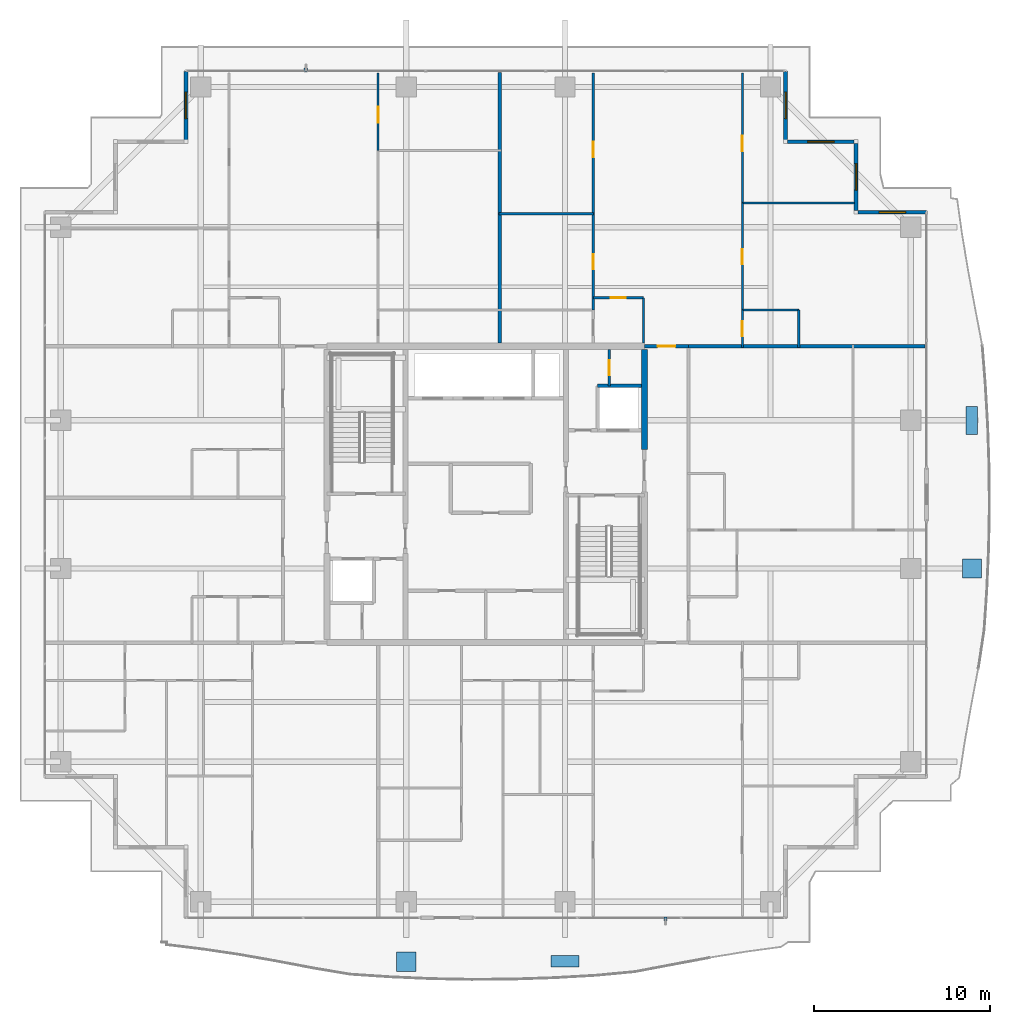
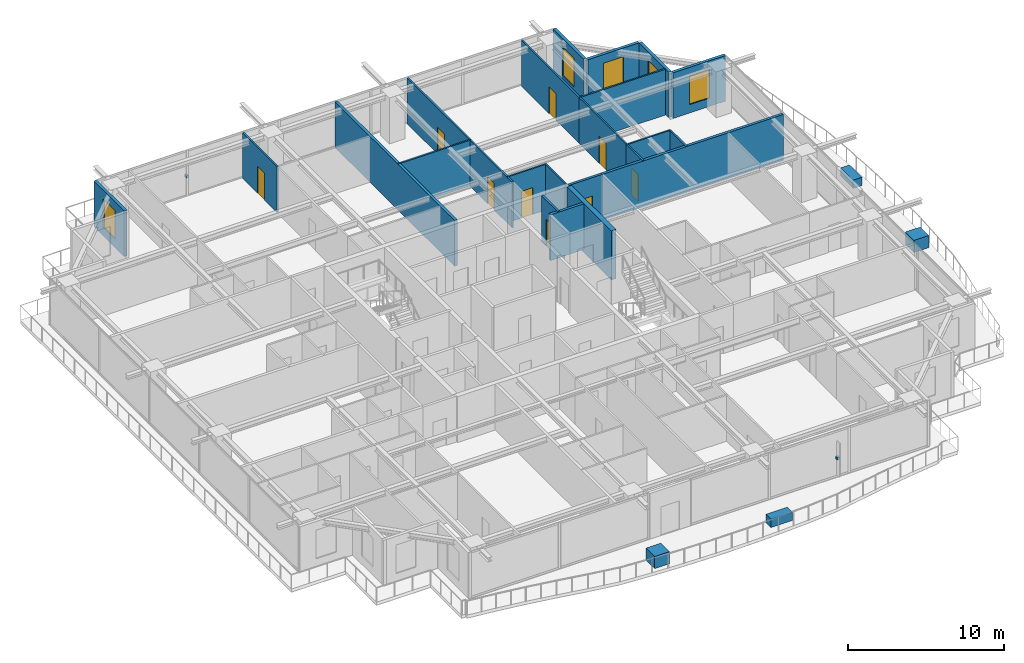
# One storey, part 30 of 37: 23 walls, 9 doors, 6 discrete accessories, 5 windows, 14 openings.
"""IFC4 building model written with IfcOpenShell, lengths in metres."""

from ifc_helpers import new_model, si_unit, direction, frame, frame_2d, origin, origin_2d, place, context, subcontext, project, spatial, rectangle, extrude, source, transform, mapped, material, layer, layer_set, type_object, element, fill, save


model = new_model("IFC4")

# Units and contexts
model_context = context("Model", 3, precision=1e-05, world=origin(), true_north=direction((0.0, 1.0)))
body_context = subcontext(model_context, "Body", "Model", "MODEL_VIEW")
ifc_project = project(units=[si_unit("LENGTHUNIT", "METRE"), si_unit("AREAUNIT", "SQUARE_METRE"), si_unit("VOLUMEUNIT", "CUBIC_METRE"), si_unit("PLANEANGLEUNIT", "RADIAN"), si_unit("MASSUNIT", "GRAM", prefix="KILO")], contexts=[model_context])

# Site, building, storey
site_placement = place(None, origin())
site = spatial("IfcSite", under=ifc_project, at=site_placement, CompositionType="ELEMENT")
building_placement = place(site_placement, origin())
building = spatial("IfcBuilding", under=site, at=building_placement, Name="Serunith Strait Residences", CompositionType="ELEMENT")
storey_placement = place(building_placement, frame((0.0, 0.0, 275.89990234375)))
storey = spatial("IfcBuildingStorey", under=building, at=storey_placement, Name="L69", CompositionType="ELEMENT", Elevation=275.89990234375)

# Wall, opening, window
ifc_material_1 = material(Name="Pale-Champagne Aluminium Insulated Panel", Category="aluminium")
ifc_layer_1 = layer(ifc_material_1, 0.219970703125, Name="Pale-Champagne Aluminium Insulated Panel")
ifc_layer_set_1 = layer_set([ifc_layer_1], Name="Pale-Champagne Aluminium Insulated Panel")
wall_type_1 = type_object("IfcWallType", Name="EW-ALUM-220", PredefinedType="ELEMENTEDWALL", material=ifc_layer_set_1)
wall_1_placement = place(storey_placement, frame((57.39990234375, 41.199951171875, 0.0), z_axis=(0.0, 0.0, 1.0), x_axis=(-1.0, 0.0, 0.0)))
wall_1 = element("IfcWall", 1, at=wall_1_placement, inside=storey, type_object=wall_type_1, Name="L69 Girih Serrated Corner Wall 07", PredefinedType="ELEMENTEDWALL", context=body_context, shape_type="SweptSolid", body=[
    extrude(rectangle(XDim=3.889892578125, YDim=0.219970703125, at=frame_2d((1.94482421875, 0.0))), origin(), (0.0, 0.0, 1.0), 3.5751953125),
])
opening_1_placement = place(wall_1_placement, frame((1.195068359375, 0.0, 0.64990234375)))
opening_1 = element("IfcOpeningElement", 2, at=opening_1_placement, cuts=wall_1, Name="Opening W-05", PredefinedType="OPENING", context=body_context, shape_type="SweptSolid", body=[
    extrude(rectangle(XDim=1.5, YDim=2.25, at=frame_2d((0.75, 1.125))), frame((0.0, 0.1201171875, 0.0), z_axis=(0.0, -1.0, 0.0), x_axis=(1.0, 0.0, 0.0)), (0.0, 0.0, 1.0), 0.239990234375),
])
ifc_material_2 = material(Name="Ceramic-Fritted Operable Aluminium Window Glass", Category="aluminium")
window_type = type_object("IfcWindowType", Name="WIN-C5", PartitioningType="DOUBLE_PANEL_VERTICAL", PredefinedType="WINDOW", material=ifc_material_2)
shared_shape_1 = source(origin(), body_context, "Body", "SweptSolid", [
    extrude(rectangle(XDim=1.5, YDim=2.25, at=frame_2d((0.75, 1.125))), frame((0.0, 0.030029296875, 0.0), z_axis=(0.0, -1.0, 0.0), x_axis=(1.0, 0.0, 0.0)), (0.0, 0.0, 1.0), 0.06005859375),
])
window_1_placement = place(opening_1_placement, origin())
window_1 = element("IfcWindow", 3, at=window_1_placement, inside=storey, type_object=window_type, Name="L69 Corner Operable Fritted Window 07", OverallHeight=2.25, OverallWidth=1.5, PartitioningType="SINGLE_PANEL", PredefinedType="WINDOW", context=body_context, shape_type="MappedRepresentation", body=[
    mapped(shared_shape_1, transform((0.0, 0.0, 0.0), scale=1.0)),
])
fill(opening_1, window_1)

wall_2_placement = place(storey_placement, frame((53.39990234375, 41.31005859375, 0.0), z_axis=(0.0, 0.0, 1.0), x_axis=(0.0, 1.0, 0.0)))
wall_2 = element("IfcWall", 4, at=wall_2_placement, inside=storey, type_object=wall_type_1, Name="L69 Girih Serrated Corner Wall 08", PredefinedType="ELEMENTEDWALL", context=body_context, shape_type="SweptSolid", body=[
    extrude(rectangle(XDim=3.780029296875, YDim=0.219970703125, at=frame_2d((1.89013671875, 0.0))), origin(), (0.0, 0.0, 1.0), 3.5751953125),
])
opening_2_placement = place(wall_2_placement, frame((1.139892578125, 0.0, 0.64990234375)))
opening_2 = element("IfcOpeningElement", 5, at=opening_2_placement, cuts=wall_2, Name="Opening W-05", PredefinedType="OPENING", context=body_context, shape_type="SweptSolid", body=[
    extrude(rectangle(XDim=1.5, YDim=2.25, at=frame_2d((0.75, 1.125))), frame((0.0, 0.1201171875, 0.0), z_axis=(0.0, -1.0, 0.0), x_axis=(1.0, 0.0, 0.0)), (0.0, 0.0, 1.0), 0.239990234375),
])
window_2_placement = place(opening_2_placement, origin())
window_2 = element("IfcWindow", 6, at=window_2_placement, inside=storey, type_object=window_type, Name="L69 Corner Operable Fritted Window 08", OverallHeight=2.25, OverallWidth=1.5, PartitioningType="SINGLE_PANEL", PredefinedType="WINDOW", context=body_context, shape_type="MappedRepresentation", body=[
    mapped(shared_shape_1, transform((0.0, 0.0, 0.0), scale=1.0)),
])
fill(opening_2, window_2)

wall_3_placement = place(storey_placement, frame((53.2900390625, 45.199951171875, 0.0), z_axis=(0.0, 0.0, 1.0), x_axis=(-1.0, 0.0, 0.0)))
wall_3 = element("IfcWall", 7, at=wall_3_placement, inside=storey, type_object=wall_type_1, Name="L69 Girih Serrated Corner Wall 09", PredefinedType="ELEMENTEDWALL", context=body_context, shape_type="SweptSolid", body=[
    extrude(rectangle(XDim=3.780029296875, YDim=0.219970703125, at=frame_2d((1.89013671875, 0.0))), origin(), (0.0, 0.0, 1.0), 3.5751953125),
])
opening_3_placement = place(wall_3_placement, frame((1.139892578125, 0.0, 0.64990234375)))
opening_3 = element("IfcOpeningElement", 8, at=opening_3_placement, cuts=wall_3, Name="Opening W-05", PredefinedType="OPENING", context=body_context, shape_type="SweptSolid", body=[
    extrude(rectangle(XDim=1.5, YDim=2.25, at=frame_2d((0.75, 1.125))), frame((0.0, 0.1201171875, 0.0), z_axis=(0.0, -1.0, 0.0), x_axis=(1.0, 0.0, 0.0)), (0.0, 0.0, 1.0), 0.239990234375),
])
window_3_placement = place(opening_3_placement, origin())
window_3 = element("IfcWindow", 9, at=window_3_placement, inside=storey, type_object=window_type, Name="L69 Corner Operable Fritted Window 09", OverallHeight=2.25, OverallWidth=1.5, PartitioningType="SINGLE_PANEL", PredefinedType="WINDOW", context=body_context, shape_type="MappedRepresentation", body=[
    mapped(shared_shape_1, transform((0.0, 0.0, 0.0), scale=1.0)),
])
fill(opening_3, window_3)

wall_4_placement = place(storey_placement, frame((49.39990234375, 45.31005859375, 0.0), z_axis=(0.0, 0.0, 1.0), x_axis=(0.0, 1.0, 0.0)))
wall_4 = element("IfcWall", 10, at=wall_4_placement, inside=storey, type_object=wall_type_1, Name="L69 Girih Serrated Corner Wall 10", PredefinedType="ELEMENTEDWALL", context=body_context, shape_type="SweptSolid", body=[
    extrude(rectangle(XDim=3.889892578125, YDim=0.219970703125, at=frame_2d((1.94482421875, 0.0))), origin(), (0.0, 0.0, 1.0), 3.5751953125),
])
opening_4_placement = place(wall_4_placement, frame((1.195068359375, 0.0, 0.64990234375)))
opening_4 = element("IfcOpeningElement", 11, at=opening_4_placement, cuts=wall_4, Name="Opening W-05", PredefinedType="OPENING", context=body_context, shape_type="SweptSolid", body=[
    extrude(rectangle(XDim=1.5, YDim=2.25, at=frame_2d((0.75, 1.125))), frame((0.0, 0.1201171875, 0.0), z_axis=(0.0, -1.0, 0.0), x_axis=(1.0, 0.0, 0.0)), (0.0, 0.0, 1.0), 0.239990234375),
])
window_4_placement = place(opening_4_placement, origin())
window_4 = element("IfcWindow", 12, at=window_4_placement, inside=storey, type_object=window_type, Name="L69 Corner Operable Fritted Window 10", OverallHeight=2.25, OverallWidth=1.5, PartitioningType="SINGLE_PANEL", PredefinedType="WINDOW", context=body_context, shape_type="MappedRepresentation", body=[
    mapped(shared_shape_1, transform((0.0, 0.0, 0.0), scale=1.0)),
])
fill(opening_4, window_4)

wall_5_placement = place(storey_placement, frame((15.39990234375, 49.199951171875, 0.0), z_axis=(0.0, 0.0, 1.0), x_axis=(0.0, -1.0, 0.0)))
wall_5 = element("IfcWall", 13, at=wall_5_placement, inside=storey, type_object=wall_type_1, Name="L69 Girih Serrated Corner Wall 12", PredefinedType="ELEMENTEDWALL", context=body_context, shape_type="SweptSolid", body=[
    extrude(rectangle(XDim=3.889892578125, YDim=0.219970703125, at=frame_2d((1.94482421875, 0.0))), origin(), (0.0, 0.0, 1.0), 3.5751953125),
])
opening_5_placement = place(wall_5_placement, frame((1.195068359375, 0.0, 0.64990234375)))
opening_5 = element("IfcOpeningElement", 14, at=opening_5_placement, cuts=wall_5, Name="Opening W-05", PredefinedType="OPENING", context=body_context, shape_type="SweptSolid", body=[
    extrude(rectangle(XDim=1.5, YDim=2.25, at=frame_2d((0.75, 1.125))), frame((0.0, 0.1201171875, 0.0), z_axis=(0.0, -1.0, 0.0), x_axis=(1.0, 0.0, 0.0)), (0.0, 0.0, 1.0), 0.239990234375),
])
window_5_placement = place(opening_5_placement, origin())
window_5 = element("IfcWindow", 15, at=window_5_placement, inside=storey, type_object=window_type, Name="L69 Corner Operable Fritted Window 12", OverallHeight=2.25, OverallWidth=1.5, PartitioningType="SINGLE_PANEL", PredefinedType="WINDOW", context=body_context, shape_type="MappedRepresentation", body=[
    mapped(shared_shape_1, transform((0.0, 0.0, 0.0), scale=1.0)),
])
fill(opening_5, window_5)

# Wall, opening, door
ifc_material_3 = material(Name="Fire-rated masonry service closet wall", Category="masonry")
ifc_layer_2 = layer(ifc_material_3, 0.14990234375, Name="Fire-rated masonry service closet wall")
ifc_layer_set_2 = layer_set([ifc_layer_2], Name="Fire-rated masonry service closet wall")
wall_type_2 = type_object("IfcWallType", Name="IW-BOH-150", PredefinedType="PARTITIONING", material=ifc_layer_set_2)
wall_6_placement = place(storey_placement, frame((39.39990234375, 31.35009765625, 0.0), z_axis=(0.0, 0.0, 1.0), x_axis=(0.0, 1.0, 0.0)))
wall_6 = element("IfcWall", 16, at=wall_6_placement, inside=storey, type_object=wall_type_2, Name="L69 Partition Wall 012", PredefinedType="PARTITIONING", context=body_context, shape_type="SweptSolid", body=[
    extrude(rectangle(XDim=2.074951171875, YDim=0.14990234375, at=frame_2d((1.03759765625, 0.0))), origin(), (0.0, 0.0, 1.0), 3.590087890625),
])
opening_6_placement = place(wall_6_placement, frame((0.612060546875, 0.0, 0.0)))
opening_6 = element("IfcOpeningElement", 17, at=opening_6_placement, cuts=wall_6, Name="Opening FD-850", PredefinedType="OPENING", context=body_context, shape_type="SweptSolid", body=[
    extrude(rectangle(XDim=0.85009765625, YDim=2.10009765625, at=frame_2d((0.425048828125, 1.050048828125))), frame((0.0, 0.0849609375, 0.0), z_axis=(0.0, -1.0, 0.0), x_axis=(1.0, 0.0, 0.0)), (0.0, 0.0, 1.0), 0.169921875),
])
ifc_material_4 = material(Name="Powder-coated steel service closet door", Category="steel")
door_type_1 = type_object("IfcDoorType", Name="FD-BOH-850", OperationType="NOTDEFINED", PredefinedType="DOOR", material=ifc_material_4)
shared_shape_2 = source(origin(), body_context, "Body", "SweptSolid", [
    extrude(rectangle(XDim=0.85009765625, YDim=2.10009765625, at=frame_2d((0.425048828125, 1.050048828125))), frame((0.0, 0.02490234375, 0.0), z_axis=(0.0, -1.0, 0.0), x_axis=(1.0, 0.0, 0.0)), (0.0, 0.0, 1.0), 0.050048828125),
])
door_1_placement = place(opening_6_placement, origin())
door_1 = element("IfcDoor", 18, at=door_1_placement, inside=storey, type_object=door_type_1, Name="L69 Janitor Store Door", OperationType="SINGLE_SWING_LEFT", OverallHeight=2.10009765625, OverallWidth=0.85009765625, PredefinedType="DOOR", context=body_context, shape_type="MappedRepresentation", body=[
    mapped(shared_shape_2, transform((0.0, 0.0, 0.0), scale=1.0)),
])
fill(opening_6, door_1)

ifc_material_5 = material(Name="Fire-rated acoustic gypsum partition")
ifc_layer_3 = layer(ifc_material_5, 0.179931640625, Name="Fire-rated acoustic gypsum partition")
ifc_layer_set_3 = layer_set([ifc_layer_3], Name="Fire-rated acoustic gypsum partition")
wall_type_3 = type_object("IfcWallType", Name="IW-CORR-180", PredefinedType="PARTITIONING", material=ifc_layer_set_3)
wall_7_placement = place(storey_placement, frame((41.402099609375, 33.60009765625, 0.0), z_axis=(0.0, 0.0, 1.0), x_axis=(1.0, 0.0, 0.0)))
wall_7 = element("IfcWall", 19, at=wall_7_placement, inside=storey, type_object=wall_type_3, Name="L69 Partition Wall 031", PredefinedType="PARTITIONING", context=body_context, shape_type="SweptSolid", body=[
    extrude(rectangle(XDim=2.495849609375, YDim=0.179931640625, at=frame_2d((1.248046875, 0.0))), origin(), (0.0, 0.0, 1.0), 3.590087890625),
])
opening_7_placement = place(wall_7_placement, frame((0.748046875, 0.0, 0.0)))
opening_7 = element("IfcOpeningElement", 20, at=opening_7_placement, cuts=wall_7, Name="Opening D-APT1000", PredefinedType="OPENING", context=body_context, shape_type="SweptSolid", body=[
    extrude(rectangle(XDim=1.0, YDim=2.14990234375, at=frame_2d((0.5, 1.074951171875))), frame((0.0, 0.10009765625, 0.0), z_axis=(0.0, -1.0, 0.0), x_axis=(1.0, 0.0, 0.0)), (0.0, 0.0, 1.0), 0.199951171875),
])
ifc_material_6 = material(Name="Solid timber engineered fire door", Category="wood")
door_type_2 = type_object("IfcDoorType", Name="ID-APT-1000", OperationType="NOTDEFINED", PredefinedType="DOOR", material=ifc_material_6)
shared_shape_3 = source(origin(), body_context, "Body", "SweptSolid", [
    extrude(rectangle(XDim=1.0, YDim=2.14990234375, at=frame_2d((0.5, 1.074951171875))), frame((0.0, 0.02490234375, 0.0), z_axis=(0.0, -1.0, 0.0), x_axis=(1.0, 0.0, 0.0)), (0.0, 0.0, 1.0), 0.050048828125),
])
door_2_placement = place(opening_7_placement, origin())
door_2 = element("IfcDoor", 21, at=door_2_placement, inside=storey, type_object=door_type_2, Name="L69 Unit 04 Entrance Door", OperationType="SINGLE_SWING_RIGHT", OverallHeight=2.14990234375, OverallWidth=1.0, PredefinedType="DOOR", context=body_context, shape_type="MappedRepresentation", body=[
    mapped(shared_shape_3, transform((0.0, 0.0, 0.0), scale=1.0)),
])
fill(opening_7, door_2)

ifc_material_7 = material(Name="Lightweight steel-stud gypsum partition", Category="steel")
ifc_layer_4 = layer(ifc_material_7, 0.1201171875, Name="Lightweight steel-stud gypsum partition")
ifc_layer_set_4 = layer_set([ifc_layer_4], Name="Lightweight steel-stud gypsum partition")
wall_type_4 = type_object("IfcWallType", Name="IW-PART-120", PredefinedType="PARTITIONING", material=ifc_layer_set_4)
wall_8_placement = place(storey_placement, frame((26.300048828125, 49.10498046875, 0.0), z_axis=(0.0, 0.0, 1.0), x_axis=(0.0, -1.0, 0.0)))
wall_8 = element("IfcWall", 22, at=wall_8_placement, inside=storey, type_object=wall_type_4, Name="L69 Partition Wall 076", PredefinedType="PARTITIONING", context=body_context, shape_type="SweptSolid", body=[
    extrude(rectangle(XDim=4.40087890625, YDim=0.1201171875, at=frame_2d((2.200439453125, 0.0))), origin(), (0.0, 0.0, 1.0), 3.590087890625),
])
opening_8_placement = place(wall_8_placement, frame((1.926025390625, 0.0, 0.0)))
opening_8 = element("IfcOpeningElement", 23, at=opening_8_placement, cuts=wall_8, Name="Opening D-RM900", PredefinedType="OPENING", context=body_context, shape_type="SweptSolid", body=[
    extrude(rectangle(XDim=0.89990234375, YDim=2.10009765625, at=frame_2d((0.449951171875, 1.050048828125))), frame((0.0, 0.070068359375, 0.0), z_axis=(0.0, -1.0, 0.0), x_axis=(1.0, 0.0, 0.0)), (0.0, 0.0, 1.0), 0.14013671875),
])
ifc_material_8 = material(Name="Engineered timber flush bedroom door", Category="wood")
door_type_3 = type_object("IfcDoorType", Name="ID-ROOM-900", OperationType="NOTDEFINED", PredefinedType="DOOR", material=ifc_material_8)
shared_shape_4 = source(origin(), body_context, "Body", "SweptSolid", [
    extrude(rectangle(XDim=0.89990234375, YDim=2.10009765625, at=frame_2d((0.449951171875, 1.050048828125))), frame((0.0, 0.02490234375, 0.0), z_axis=(0.0, -1.0, 0.0), x_axis=(1.0, 0.0, 0.0)), (0.0, 0.0, 1.0), 0.050048828125),
])
door_3_placement = place(opening_8_placement, origin())
door_3 = element("IfcDoor", 24, at=door_3_placement, inside=storey, type_object=door_type_3, Name="L69 Bedroom 2 6903 Door", OperationType="SINGLE_SWING_RIGHT", OverallHeight=2.10009765625, OverallWidth=0.89990234375, PredefinedType="DOOR", context=body_context, shape_type="MappedRepresentation", body=[
    mapped(shared_shape_4, transform((0.0, 0.0, 0.0), scale=1.0)),
])
fill(opening_8, door_3)

wall_9_placement = place(storey_placement, frame((38.5, 36.35009765625, 0.0), z_axis=(0.0, 0.0, 1.0), x_axis=(1.0, 0.0, 0.0)))
wall_9 = element("IfcWall", 25, at=wall_9_placement, inside=storey, type_object=wall_type_4, Name="L69 Partition Wall 081", PredefinedType="PARTITIONING", context=body_context, shape_type="SweptSolid", body=[
    extrude(rectangle(XDim=2.85009765625, YDim=0.1201171875, at=frame_2d((1.425048828125, 0.0))), origin(), (0.0, 0.0, 1.0), 3.590087890625),
])
opening_9_placement = place(wall_9_placement, frame((1.0, 0.0, 0.0)))
opening_9 = element("IfcOpeningElement", 26, at=opening_9_placement, cuts=wall_9, Name="Opening D-RM850", PredefinedType="OPENING", context=body_context, shape_type="SweptSolid", body=[
    extrude(rectangle(XDim=0.85009765625, YDim=2.10009765625, at=frame_2d((0.425048828125, 1.050048828125))), frame((0.0, 0.070068359375, 0.0), z_axis=(0.0, -1.0, 0.0), x_axis=(1.0, 0.0, 0.0)), (0.0, 0.0, 1.0), 0.14013671875),
])
ifc_material_9 = material(Name="Engineered timber flush study and kitchen door", Category="wood")
door_type_4 = type_object("IfcDoorType", Name="ID-ROOM-850", OperationType="NOTDEFINED", PredefinedType="DOOR", material=ifc_material_9)
door_4_placement = place(opening_9_placement, origin())
door_4 = element("IfcDoor", 27, at=door_4_placement, inside=storey, type_object=door_type_4, Name="L69 Kitchen 6904 Door", OperationType="SINGLE_SWING_LEFT", OverallHeight=2.10009765625, OverallWidth=0.85009765625, PredefinedType="DOOR", context=body_context, shape_type="MappedRepresentation", body=[
    mapped(shared_shape_2, transform((0.0, 0.0, 0.0), scale=1.0)),
])
fill(opening_9, door_4)

# Wall
wall_10_placement = place(storey_placement, frame((41.35009765625, 36.35009765625, 0.0), z_axis=(0.0, 0.0, 1.0), x_axis=(0.0, -1.0, 0.0)))
element("IfcWall", 28, at=wall_10_placement, inside=storey, type_object=wall_type_4, Name="L69 Partition Wall 082", PredefinedType="PARTITIONING", context=body_context, shape_type="SweptSolid", body=[
    extrude(rectangle(XDim=2.5751953125, YDim=0.1201171875, at=frame_2d((1.28759765625, 0.0))), origin(), (0.0, 0.0, 1.0), 3.590087890625),
])

# Wall, opening, door
wall_11_placement = place(storey_placement, frame((38.5, 49.10498046875, 0.0), z_axis=(0.0, 0.0, 1.0), x_axis=(0.0, -1.0, 0.0)))
wall_11 = element("IfcWall", 29, at=wall_11_placement, inside=storey, type_object=wall_type_4, Name="L69 Partition Wall 083", PredefinedType="PARTITIONING", context=body_context, shape_type="SweptSolid", body=[
    extrude(rectangle(XDim=7.990966796875, YDim=0.1201171875, at=frame_2d((3.99560546875, 0.0))), origin(), (0.0, 0.0, 1.0), 3.590087890625),
])
opening_10_placement = place(wall_11_placement, frame((3.89990234375, 0.0, 0.0)))
opening_10 = element("IfcOpeningElement", 30, at=opening_10_placement, cuts=wall_11, Name="Opening D-RM900", PredefinedType="OPENING", context=body_context, shape_type="SweptSolid", body=[
    extrude(rectangle(XDim=0.89990234375, YDim=2.10009765625, at=frame_2d((0.449951171875, 1.050048828125))), frame((0.0, 0.070068359375, 0.0), z_axis=(0.0, -1.0, 0.0), x_axis=(1.0, 0.0, 0.0)), (0.0, 0.0, 1.0), 0.14013671875),
])
door_5_placement = place(opening_10_placement, origin())
door_5 = element("IfcDoor", 31, at=door_5_placement, inside=storey, type_object=door_type_3, Name="L69 Master Bedroom 1 6904 Door", OperationType="SINGLE_SWING_RIGHT", OverallHeight=2.10009765625, OverallWidth=0.89990234375, PredefinedType="DOOR", context=body_context, shape_type="MappedRepresentation", body=[
    mapped(shared_shape_4, transform((0.0, 0.0, 0.0), scale=1.0)),
])
fill(opening_10, door_5)

# Wall
wall_12_placement = place(storey_placement, frame((33.139892578125, 41.114013671875, 0.0), z_axis=(0.0, 0.0, 1.0), x_axis=(1.0, 0.0, 0.0)))
element("IfcWall", 32, at=wall_12_placement, inside=storey, type_object=wall_type_4, Name="L69 Partition Wall 084", PredefinedType="PARTITIONING", context=body_context, shape_type="SweptSolid", body=[
    extrude(rectangle(XDim=5.360107421875, YDim=0.1201171875, at=frame_2d((2.68017578125, 0.0))), origin(), (0.0, 0.0, 1.0), 3.590087890625),
])

# Wall, opening, door
wall_13_placement = place(storey_placement, frame((38.5, 41.112060546875, 0.0), z_axis=(0.0, 0.0, 1.0), x_axis=(0.0, -1.0, 0.0)))
wall_13 = element("IfcWall", 33, at=wall_13_placement, inside=storey, type_object=wall_type_4, Name="L69 Partition Wall 086", PredefinedType="PARTITIONING", context=body_context, shape_type="SweptSolid", body=[
    extrude(rectangle(XDim=5.462158203125, YDim=0.1201171875, at=frame_2d((2.73095703125, 0.0))), origin(), (0.0, 0.0, 1.0), 3.590087890625),
])
opening_11_placement = place(wall_13_placement, frame((2.305908203125, 0.0, 0.0)))
opening_11 = element("IfcOpeningElement", 34, at=opening_11_placement, cuts=wall_13, Name="Opening D-RM850", PredefinedType="OPENING", context=body_context, shape_type="SweptSolid", body=[
    extrude(rectangle(XDim=0.85009765625, YDim=2.10009765625, at=frame_2d((0.425048828125, 1.050048828125))), frame((0.0, 0.070068359375, 0.0), z_axis=(0.0, -1.0, 0.0), x_axis=(1.0, 0.0, 0.0)), (0.0, 0.0, 1.0), 0.14013671875),
])
door_6_placement = place(opening_11_placement, origin())
door_6 = element("IfcDoor", 35, at=door_6_placement, inside=storey, type_object=door_type_4, Name="L69 Walk-in Wardrobe 6904 Door", OperationType="SINGLE_SWING_LEFT", OverallHeight=2.10009765625, OverallWidth=0.85009765625, PredefinedType="DOOR", context=body_context, shape_type="MappedRepresentation", body=[
    mapped(shared_shape_2, transform((0.0, 0.0, 0.0), scale=1.0)),
])
fill(opening_11, door_6)

wall_14_placement = place(storey_placement, frame((46.949951171875, 49.10498046875, 0.0), z_axis=(0.0, 0.0, 1.0), x_axis=(0.0, -1.0, 0.0)))
wall_14 = element("IfcWall", 36, at=wall_14_placement, inside=storey, type_object=wall_type_4, Name="L69 Partition Wall 088", PredefinedType="PARTITIONING", context=body_context, shape_type="SweptSolid", body=[
    extrude(rectangle(XDim=7.373046875, YDim=0.1201171875, at=frame_2d((3.6865234375, 0.0))), origin(), (0.0, 0.0, 1.0), 3.590087890625),
])
opening_12_placement = place(wall_14_placement, frame((3.56005859375, 0.0, 0.0)))
opening_12 = element("IfcOpeningElement", 37, at=opening_12_placement, cuts=wall_14, Name="Opening D-RM900", PredefinedType="OPENING", context=body_context, shape_type="SweptSolid", body=[
    extrude(rectangle(XDim=0.89990234375, YDim=2.10009765625, at=frame_2d((0.449951171875, 1.050048828125))), frame((0.0, 0.070068359375, 0.0), z_axis=(0.0, -1.0, 0.0), x_axis=(1.0, 0.0, 0.0)), (0.0, 0.0, 1.0), 0.14013671875),
])
door_7_placement = place(opening_12_placement, origin())
door_7 = element("IfcDoor", 38, at=door_7_placement, inside=storey, type_object=door_type_3, Name="L69 Bedroom 2 6904 Door", OperationType="SINGLE_SWING_LEFT", OverallHeight=2.10009765625, OverallWidth=0.89990234375, PredefinedType="DOOR", context=body_context, shape_type="MappedRepresentation", body=[
    mapped(shared_shape_4, transform((0.0, 0.0, 0.0), scale=1.0)),
])
fill(opening_12, door_7)

# Walls
wall_15_placement = place(storey_placement, frame((46.949951171875, 41.73193359375, 0.0), z_axis=(0.0, 0.0, 1.0), x_axis=(1.0, 0.0, 0.0)))
element("IfcWall", 39, at=wall_15_placement, inside=storey, type_object=wall_type_4, Name="L69 Partition Wall 089", PredefinedType="PARTITIONING", context=body_context, shape_type="SweptSolid", body=[
    extrude(rectangle(XDim=6.35498046875, YDim=0.1201171875, at=frame_2d((3.177490234375, 0.0))), origin(), (0.0, 0.0, 1.0), 3.590087890625),
])
wall_16_placement = place(storey_placement, frame((46.949951171875, 35.64990234375, 0.0), z_axis=(0.0, 0.0, 1.0), x_axis=(1.0, 0.0, 0.0)))
element("IfcWall", 40, at=wall_16_placement, inside=storey, type_object=wall_type_4, Name="L69 Partition Wall 090", PredefinedType="PARTITIONING", context=body_context, shape_type="SweptSolid", body=[
    extrude(rectangle(XDim=3.199951171875, YDim=0.1201171875, at=frame_2d((1.60009765625, 0.0))), origin(), (0.0, 0.0, 1.0), 3.590087890625),
])
wall_17_placement = place(storey_placement, frame((50.14990234375, 35.64990234375, 0.0), z_axis=(0.0, 0.0, 1.0), x_axis=(0.0, -1.0, 0.0)))
element("IfcWall", 41, at=wall_17_placement, inside=storey, type_object=wall_type_4, Name="L69 Partition Wall 091", PredefinedType="PARTITIONING", context=body_context, shape_type="SweptSolid", body=[
    extrude(rectangle(XDim=2.10986328125, YDim=0.1201171875, at=frame_2d((1.054931640625, 0.0))), origin(), (0.0, 0.0, 1.0), 3.590087890625),
])

# Wall, opening, door
wall_18_placement = place(storey_placement, frame((46.949951171875, 41.72998046875, 0.0), z_axis=(0.0, 0.0, 1.0), x_axis=(0.0, -1.0, 0.0)))
wall_18 = element("IfcWall", 42, at=wall_18_placement, inside=storey, type_object=wall_type_4, Name="L69 Partition Wall 092", PredefinedType="PARTITIONING", context=body_context, shape_type="SweptSolid", body=[
    extrude(rectangle(XDim=6.080078125, YDim=0.1201171875, at=frame_2d((3.0400390625, 0.0))), origin(), (0.0, 0.0, 1.0), 3.590087890625),
])
opening_13_placement = place(wall_18_placement, frame((2.614990234375, 0.0, 0.0)))
opening_13 = element("IfcOpeningElement", 43, at=opening_13_placement, cuts=wall_18, Name="Opening D-RM850", PredefinedType="OPENING", context=body_context, shape_type="SweptSolid", body=[
    extrude(rectangle(XDim=0.85009765625, YDim=2.10009765625, at=frame_2d((0.425048828125, 1.050048828125))), frame((0.0, 0.070068359375, 0.0), z_axis=(0.0, -1.0, 0.0), x_axis=(1.0, 0.0, 0.0)), (0.0, 0.0, 1.0), 0.14013671875),
])
door_8_placement = place(opening_13_placement, origin())
door_8 = element("IfcDoor", 44, at=door_8_placement, inside=storey, type_object=door_type_4, Name="L69 Walk-in Wardrobe 6904 Door", OperationType="SINGLE_SWING_RIGHT", OverallHeight=2.10009765625, OverallWidth=0.85009765625, PredefinedType="DOOR", context=body_context, shape_type="MappedRepresentation", body=[
    mapped(shared_shape_2, transform((0.0, 0.0, 0.0), scale=1.0)),
])
fill(opening_13, door_8)

wall_19_placement = place(storey_placement, frame((46.949951171875, 35.64794921875, 0.0), z_axis=(0.0, 0.0, 1.0), x_axis=(0.0, -1.0, 0.0)))
wall_19 = element("IfcWall", 45, at=wall_19_placement, inside=storey, type_object=wall_type_4, Name="L69 Partition Wall 093", PredefinedType="PARTITIONING", context=body_context, shape_type="SweptSolid", body=[
    extrude(rectangle(XDim=2.10791015625, YDim=0.1201171875, at=frame_2d((1.053955078125, 0.0))), origin(), (0.0, 0.0, 1.0), 3.590087890625),
])
opening_14_placement = place(wall_19_placement, frame((0.62890625, 0.0, 0.0)))
opening_14 = element("IfcOpeningElement", 46, at=opening_14_placement, cuts=wall_19, Name="Opening D-BTH850", PredefinedType="OPENING", context=body_context, shape_type="SweptSolid", body=[
    extrude(rectangle(XDim=0.85009765625, YDim=2.10009765625, at=frame_2d((0.425048828125, 1.050048828125))), frame((0.0, 0.070068359375, 0.0), z_axis=(0.0, -1.0, 0.0), x_axis=(1.0, 0.0, 0.0)), (0.0, 0.0, 1.0), 0.14013671875),
])
ifc_material_10 = material(Name="Moisture-resistant timber bathroom door", Category="wood")
door_type_5 = type_object("IfcDoorType", Name="ID-BATH-850", OperationType="NOTDEFINED", PredefinedType="DOOR", material=ifc_material_10)
door_9_placement = place(opening_14_placement, origin())
door_9 = element("IfcDoor", 47, at=door_9_placement, inside=storey, type_object=door_type_5, Name="L69 Bathroom 6904 Door", OperationType="SINGLE_SWING_LEFT", OverallHeight=2.10009765625, OverallWidth=0.85009765625, PredefinedType="DOOR", context=body_context, shape_type="MappedRepresentation", body=[
    mapped(shared_shape_2, transform((0.0, 0.0, 0.0), scale=1.0)),
])
fill(opening_14, door_9)

# Walls
ifc_material_11 = material(Name="Twin-stud acoustic gypsum board partition")
ifc_layer_5 = layer(ifc_material_11, 0.199951171875, Name="Twin-stud acoustic gypsum board partition")
ifc_layer_set_5 = layer_set([ifc_layer_5], Name="Twin-stud acoustic gypsum board partition")
wall_type_5 = type_object("IfcWallType", Name="IW-PARTY-200", PredefinedType="PARTITIONING", material=ifc_layer_set_5)
wall_20_placement = place(storey_placement, frame((33.199951171875, 33.77490234375, 0.0), z_axis=(0.0, 0.0, 1.0), x_axis=(0.0, 1.0, 0.0)))
element("IfcWall", 48, at=wall_20_placement, inside=storey, type_object=wall_type_5, Name="L69 Partition Wall 021", PredefinedType="PARTITIONING", context=body_context, shape_type="SweptSolid", body=[
    extrude(rectangle(XDim=15.343017578125, YDim=0.199951171875, at=frame_2d((7.67138671875, 0.0))), origin(), (0.0, 0.0, 1.0), 3.590087890625),
])
wall_21_placement = place(storey_placement, frame((43.89990234375, 33.60009765625, 0.0), z_axis=(0.0, 0.0, 1.0), x_axis=(1.0, 0.0, 0.0)))
element("IfcWall", 49, at=wall_21_placement, inside=storey, type_object=wall_type_5, Name="L69 Partition Wall 026", PredefinedType="PARTITIONING", context=body_context, shape_type="SweptSolid", body=[
    extrude(rectangle(XDim=13.418212890625, YDim=0.199951171875, at=frame_2d((6.708984375, 0.0))), origin(), (0.0, 0.0, 1.0), 3.590087890625),
])
ifc_material_12 = material(Name="Autoclaved aerated concrete blockwork", Category="masonry")
ifc_layer_6 = layer(ifc_material_12, 0.199951171875, Name="Autoclaved aerated concrete blockwork")
ifc_layer_set_6 = layer_set([ifc_layer_6], Name="Autoclaved aerated concrete blockwork")
wall_type_6 = type_object("IfcWallType", Name="IW-SHAFT-200", PredefinedType="STANDARD", material=ifc_layer_set_6)
wall_22_placement = place(storey_placement, frame((38.75, 31.35009765625, 0.0), z_axis=(0.0, 0.0, 1.0), x_axis=(1.0, 0.0, 0.0)))
element("IfcWall", 50, at=wall_22_placement, inside=storey, type_object=wall_type_6, Name="L69 Partition Wall 005", PredefinedType="STANDARD", context=body_context, shape_type="SweptSolid", body=[
    extrude(rectangle(XDim=2.47509765625, YDim=0.199951171875, at=frame_2d((1.237548828125, 0.0))), origin(), (0.0, 0.0, 1.0), 3.590087890625),
])
ifc_material_13 = material(Name="Concrete C60/75", Category="concrete")
ifc_layer_7 = layer(ifc_material_13, 0.35009765625, Name="Concrete C60/75")
ifc_layer_set_7 = layer_set([ifc_layer_7], Name="Concrete C60/75")
wall_type_7 = type_object("IfcWallType", Name="SW-350-C60", PredefinedType="SHEAR", material=ifc_layer_set_7)
wall_23_placement = place(storey_placement, frame((41.39990234375, 27.75, -0.260009765625), z_axis=(0.0, 0.0, 1.0), x_axis=(0.0, 1.0, 0.0)))
element("IfcWall", 51, at=wall_23_placement, inside=storey, type_object=wall_type_7, Name="L69 Core East Shear Wall North Pier", PredefinedType="SHEAR", context=body_context, shape_type="SweptSolid", body=[
    extrude(rectangle(XDim=5.675048828125, YDim=0.35009765625, at=frame_2d((2.83740234375, 0.0))), origin(), (0.0, 0.0, 1.0), 3.84814453125),
])

# Discrete accessories
ifc_material_14 = material(Name="GFRC Root-Anchored Structural Planter")
discrete_accessory_type_1 = type_object("IfcDiscreteAccessoryType", Name="ACC-PLANTER-TREE", PredefinedType="USERDEFINED", material=ifc_material_14)
shared_shape_5 = source(origin(), body_context, "Body", "SweptSolid", [
    extrude(rectangle(XDim=1.10009765625, YDim=1.10009765625, at=origin_2d()), origin(), (0.0, 0.0, 1.0), 0.949951171875),
])
for number, where, z_axis, x_axis, name in (
    (52, (27.89990234375, -1.2998046875, -0.0498046875), (0.0, 0.0, 1.0), (1.0, 0.0, 0.0), "L69 Vertical-Forest Tree Planter 02"),
    (53, (59.972900390625, 21.0, -0.0498046875), (0.0, 0.0, 1.0), (0.0, 1.0, 0.0), "L69 Vertical-Forest Tree Planter 10"),
):
    element("IfcDiscreteAccessory", number, at=place(storey_placement, frame(where, z_axis=z_axis, x_axis=x_axis)), inside=storey, type_object=discrete_accessory_type_1, Name=name, ObjectType="PLANTER", PredefinedType="USERDEFINED", context=body_context, shape_type="MappedRepresentation", body=[
        mapped(shared_shape_5, transform((0.0, 0.0, 0.0), scale=1.0)),
    ])
ifc_material_15 = material(Name="GFRC Irrigated Shrub Trough Planter")
discrete_accessory_type_2 = type_object("IfcDiscreteAccessoryType", Name="ACC-PLANTER-SHRUB", PredefinedType="USERDEFINED", material=ifc_material_15)
shared_shape_6 = source(origin(), body_context, "Body", "SweptSolid", [
    extrude(rectangle(XDim=1.60009765625, YDim=0.64990234375, at=origin_2d()), origin(), (0.0, 0.0, 1.0), 0.64990234375),
])
for number, where, z_axis, x_axis, name in (
    (54, (36.89990234375, -1.272705078125, -0.0498046875), (0.0, 0.0, 1.0), (1.0, 0.0, 0.0), "L69 Vertical-Forest Shrub Planter 03"),
    (55, (59.9521484375, 29.39990234375, -0.0498046875), (0.0, 0.0, 1.0), (0.0, 1.0, 0.0), "L69 Vertical-Forest Shrub Planter 11"),
):
    element("IfcDiscreteAccessory", number, at=place(storey_placement, frame(where, z_axis=z_axis, x_axis=x_axis)), inside=storey, type_object=discrete_accessory_type_2, Name=name, ObjectType="PLANTER", PredefinedType="USERDEFINED", context=body_context, shape_type="MappedRepresentation", body=[
        mapped(shared_shape_6, transform((0.0, 0.0, 0.0), scale=1.0)),
    ])
ifc_material_16 = material(Name="Stainless Steel Facade Cleat Bracket", Category="steel")
discrete_accessory_type_3 = type_object("IfcDiscreteAccessoryType", Name="ACC-FIN-BRACKET", PredefinedType="USERDEFINED", material=ifc_material_16)
shared_shape_7 = source(origin(), body_context, "Body", "SweptSolid", [
    extrude(rectangle(XDim=0.179931640625, YDim=0.219970703125, at=origin_2d()), origin(), (0.0, 0.0, 1.0), 0.179931640625),
])
for number, where, z_axis, x_axis, name in (
    (56, (42.60009765625, 1.1201171875, 1.41015625), (0.0, 0.0, 1.0), (1.0, 0.0, 0.0), "L69 Solar Fin Cleat Bracket S"),
    (57, (22.199951171875, 49.280029296875, 1.41015625), (0.0, 0.0, 1.0), (1.0, 0.0, 0.0), "L69 Solar Fin Cleat Bracket N"),
):
    element("IfcDiscreteAccessory", number, at=place(storey_placement, frame(where, z_axis=z_axis, x_axis=x_axis)), inside=storey, type_object=discrete_accessory_type_3, Name=name, ObjectType="BRACKET", PredefinedType="USERDEFINED", context=body_context, shape_type="MappedRepresentation", body=[
        mapped(shared_shape_7, transform((0.0, 0.0, 0.0), scale=1.0)),
    ])

save(model, "model.ifc")
